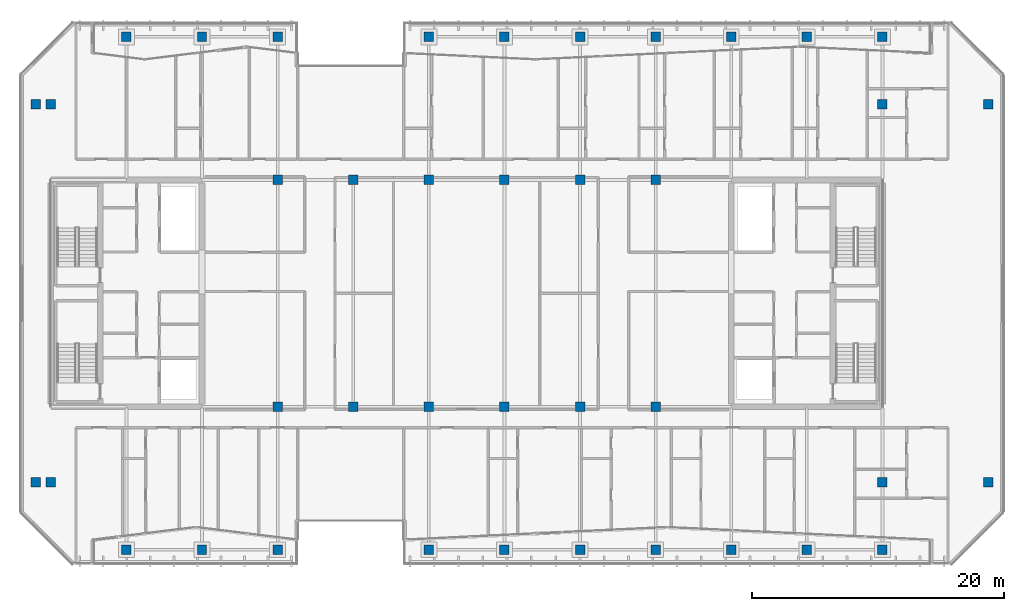
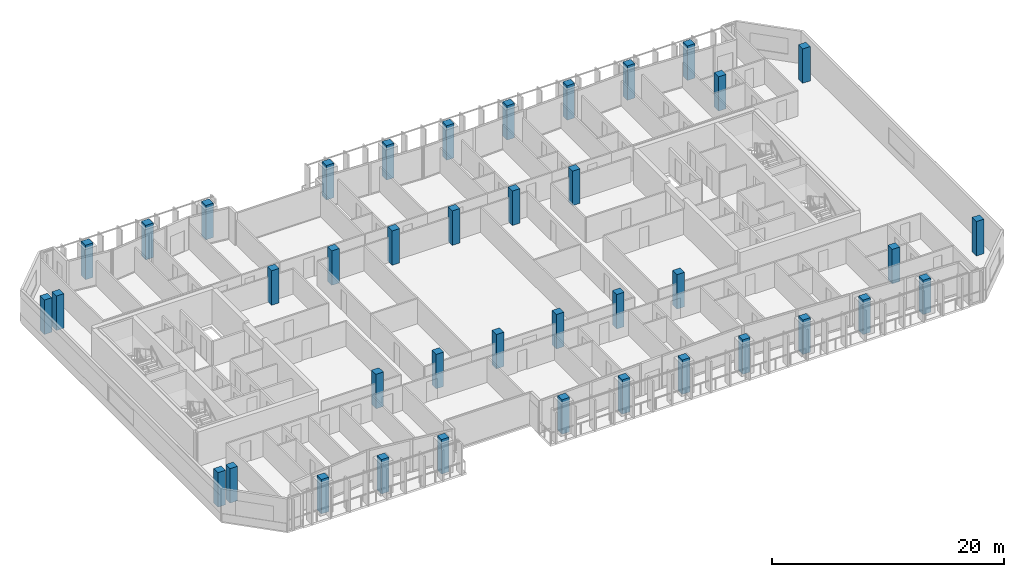
# One storey, part 1 of 31: 40 columns.
"""IFC4 building model written with IfcOpenShell, lengths in metres."""

from ifc_helpers import new_model, si_unit, direction, frame, origin, origin_2d, place, context, subcontext, project, spatial, rectangle, extrude, material, material_profile, profile_set, type_object, element, save


model = new_model("IFC4")

# Units and contexts
model_context = context("Model", 3, precision=1e-05, world=origin(), true_north=direction((0.0, 1.0)))
body_context = subcontext(model_context, "Body", "Model", "MODEL_VIEW")
ifc_project = project(units=[si_unit("LENGTHUNIT", "METRE"), si_unit("AREAUNIT", "SQUARE_METRE"), si_unit("VOLUMEUNIT", "CUBIC_METRE"), si_unit("PLANEANGLEUNIT", "RADIAN"), si_unit("MASSUNIT", "GRAM", prefix="KILO")], contexts=[model_context])

# Site, building, storey
site_placement = place(None, origin())
site = spatial("IfcSite", under=ifc_project, at=site_placement, CompositionType="ELEMENT")
building_placement = place(site_placement, origin())
building = spatial("IfcBuilding", under=site, at=building_placement, Name="Tanjung Sevakor Pilgrim Tower", CompositionType="ELEMENT")
storey_placement = place(building_placement, frame((0.0, 0.0, 208.22998046875)))
storey = spatial("IfcBuildingStorey", under=building, at=storey_placement, Name="L58", CompositionType="ELEMENT", Elevation=208.22998046875)

# Columns
ifc_material = material(Name="Concrete C60/75", Category="concrete")
ifc_material_profile = material_profile(ifc_material, rectangle(XDim=0.75, YDim=0.75, at=origin_2d()))
ifc_profile_set = profile_set([ifc_material_profile], Name="Concrete C60/75")
column_type = type_object("IfcColumnType", Name="COL-C-T750-RC_750x750", PredefinedType="COLUMN", material=ifc_profile_set)
for number, where, z_axis, x_axis, name in (
    (1, (42.0, 24.60009765625, 0.0), (0.0, 0.0, 1.0), (1.0, 0.0, 0.0), "L58 Column SPW-042-246"),
    (2, (42.0, 42.60009765625, 0.0), (0.0, 0.0, 1.0), (1.0, 0.0, 0.0), "L58 Column SPW-042-426"),
    (3, (48.0, 24.60009765625, 0.0), (0.0, 0.0, 1.0), (1.0, 0.0, 0.0), "L58 Column SPW-048-246"),
    (4, (48.0, 42.60009765625, 0.0), (0.0, 0.0, 1.0), (1.0, 0.0, 0.0), "L58 Column SPW-048-426"),
    (5, (54.0, 24.60009765625, 0.0), (0.0, 0.0, 1.0), (1.0, 0.0, 0.0), "L58 Column SPE-054-246"),
    (6, (54.0, 42.60009765625, 0.0), (0.0, 0.0, 1.0), (1.0, 0.0, 0.0), "L58 Column SPE-054-426"),
    (7, (60.0, 24.60009765625, 0.0), (0.0, 0.0, 1.0), (1.0, 0.0, 0.0), "L58 Column SPE-060-246"),
    (8, (60.0, 42.60009765625, 0.0), (0.0, 0.0, 1.0), (1.0, 0.0, 0.0), "L58 Column SPE-060-426"),
    (9, (66.0, 24.60009765625, 0.0), (0.0, 0.0, 1.0), (1.0, 0.0, 0.0), "L58 Column SPE-066-246"),
    (10, (66.0, 42.60009765625, 0.0), (0.0, 0.0, 1.0), (1.0, 0.0, 0.0), "L58 Column SPE-066-426"),
    (11, (72.0, 24.60009765625, 0.0), (0.0, 0.0, 1.0), (1.0, 0.0, 0.0), "L58 Column SPE-072-246"),
    (12, (72.0, 42.60009765625, 0.0), (0.0, 0.0, 1.0), (1.0, 0.0, 0.0), "L58 Column SPE-072-426"),
    (13, (22.800048828125, 18.60009765625, 0.0), (0.0, 0.0, 1.0), (1.0, 0.0, 0.0), "L58 Column TCE-0228-186"),
    (14, (22.800048828125, 48.60009765625, 0.0), (0.0, 0.0, 1.0), (1.0, 0.0, 0.0), "L58 Column TCE-0228-486"),
    (15, (24.0, 18.60009765625, 0.0), (0.0, 0.0, 1.0), (1.0, 0.0, 0.0), "L58 Column TCE-0240-186"),
    (16, (24.0, 48.60009765625, 0.0), (0.0, 0.0, 1.0), (1.0, 0.0, 0.0), "L58 Column TCE-0240-486"),
    (17, (90.0, 18.60009765625, 0.0), (0.0, 0.0, 1.0), (1.0, 0.0, 0.0), "L58 Column TCE-0900-186"),
    (18, (90.0, 48.60009765625, 0.0), (0.0, 0.0, 1.0), (1.0, 0.0, 0.0), "L58 Column TCE-0900-486"),
    (19, (98.39990234375, 18.60009765625, 0.0), (0.0, 0.0, 1.0), (1.0, 0.0, 0.0), "L58 Column TCE-0984-186"),
    (20, (98.39990234375, 48.60009765625, 0.0), (0.0, 0.0, 1.0), (1.0, 0.0, 0.0), "L58 Column TCE-0984-486"),
    (21, (30.0, 13.25, 0.0), (0.0, 0.0, 1.0), (1.0, 0.0, 0.0), "L58 Column TC4-030-132"),
    (22, (30.0, 53.949951171875, 0.0), (0.0, 0.0, 1.0), (1.0, 0.0, 0.0), "L58 Column TC4-030-540"),
    (23, (36.0, 13.25, 0.0), (0.0, 0.0, 1.0), (1.0, 0.0, 0.0), "L58 Column TC4-036-132"),
    (24, (36.0, 53.949951171875, 0.0), (0.0, 0.0, 1.0), (1.0, 0.0, 0.0), "L58 Column TC4-036-540"),
    (25, (42.0, 13.25, 0.0), (0.0, 0.0, 1.0), (1.0, 0.0, 0.0), "L58 Column TC4-042-132"),
    (26, (42.0, 53.949951171875, 0.0), (0.0, 0.0, 1.0), (1.0, 0.0, 0.0), "L58 Column TC4-042-540"),
    (27, (54.0, 13.25, 0.0), (0.0, 0.0, 1.0), (1.0, 0.0, 0.0), "L58 Column TC4-054-132"),
    (28, (54.0, 53.949951171875, 0.0), (0.0, 0.0, 1.0), (1.0, 0.0, 0.0), "L58 Column TC4-054-540"),
    (29, (60.0, 13.25, 0.0), (0.0, 0.0, 1.0), (1.0, 0.0, 0.0), "L58 Column TC4-060-132"),
    (30, (60.0, 53.949951171875, 0.0), (0.0, 0.0, 1.0), (1.0, 0.0, 0.0), "L58 Column TC4-060-540"),
    (31, (66.0, 13.25, 0.0), (0.0, 0.0, 1.0), (1.0, 0.0, 0.0), "L58 Column TC4-066-132"),
    (32, (66.0, 53.949951171875, 0.0), (0.0, 0.0, 1.0), (1.0, 0.0, 0.0), "L58 Column TC4-066-540"),
    (33, (72.0, 13.25, 0.0), (0.0, 0.0, 1.0), (1.0, 0.0, 0.0), "L58 Column TC4-072-132"),
    (34, (72.0, 53.949951171875, 0.0), (0.0, 0.0, 1.0), (1.0, 0.0, 0.0), "L58 Column TC4-072-540"),
    (35, (78.0, 13.25, 0.0), (0.0, 0.0, 1.0), (1.0, 0.0, 0.0), "L58 Column TC4-078-132"),
    (36, (78.0, 53.949951171875, 0.0), (0.0, 0.0, 1.0), (1.0, 0.0, 0.0), "L58 Column TC4-078-540"),
    (37, (84.0, 13.25, 0.0), (0.0, 0.0, 1.0), (1.0, 0.0, 0.0), "L58 Column TC4-084-132"),
    (38, (84.0, 53.949951171875, 0.0), (0.0, 0.0, 1.0), (1.0, 0.0, 0.0), "L58 Column TC4-084-540"),
    (39, (90.0, 13.25, 0.0), (0.0, 0.0, 1.0), (1.0, 0.0, 0.0), "L58 Column TC4-090-132"),
    (40, (90.0, 53.949951171875, 0.0), (0.0, 0.0, 1.0), (1.0, 0.0, 0.0), "L58 Column TC4-090-540"),
):
    element("IfcColumn", number, at=place(storey_placement, frame(where, z_axis=z_axis, x_axis=x_axis)), inside=storey, type_object=column_type, Name=name, PredefinedType="COLUMN", context=body_context, shape_type="SweptSolid", body=[
        extrude(rectangle(XDim=0.75, YDim=0.75, at=origin_2d()), origin(), (0.0, 0.0, 1.0), 3.630126953125),
    ])

save(model, "model.ifc")
